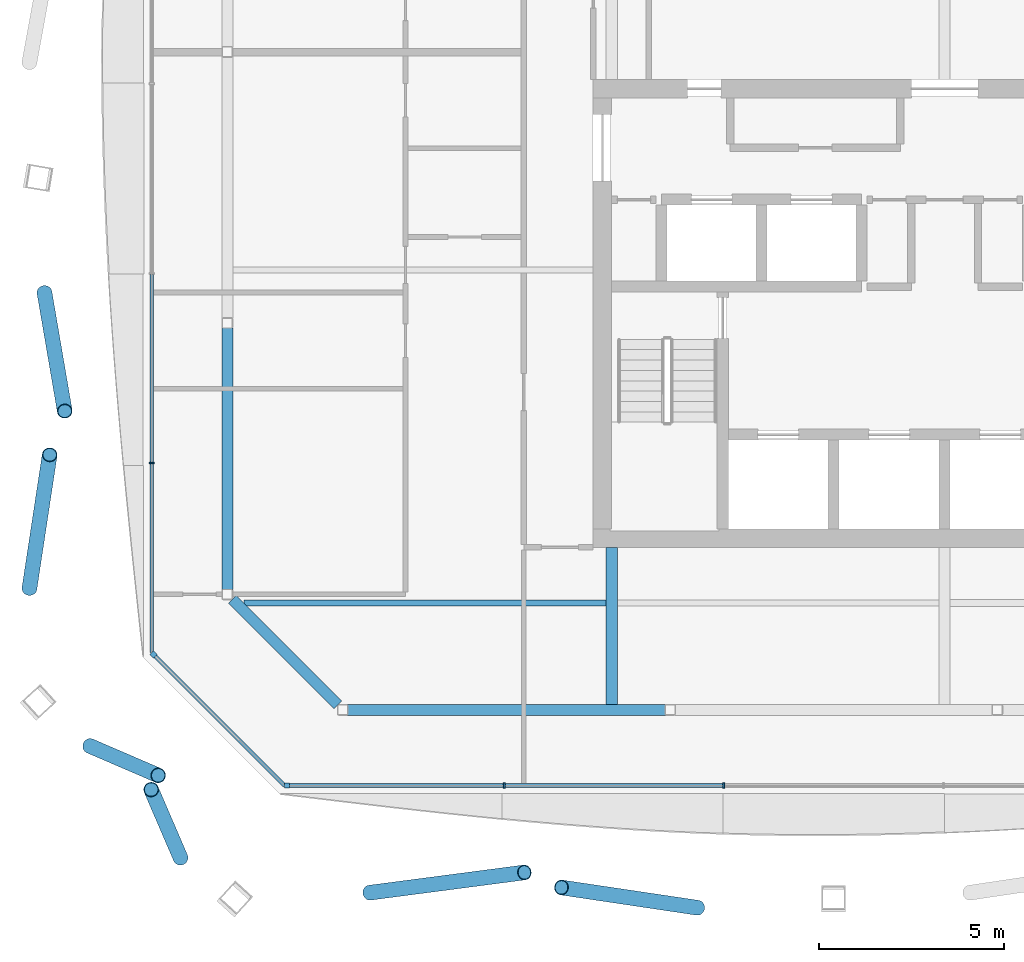
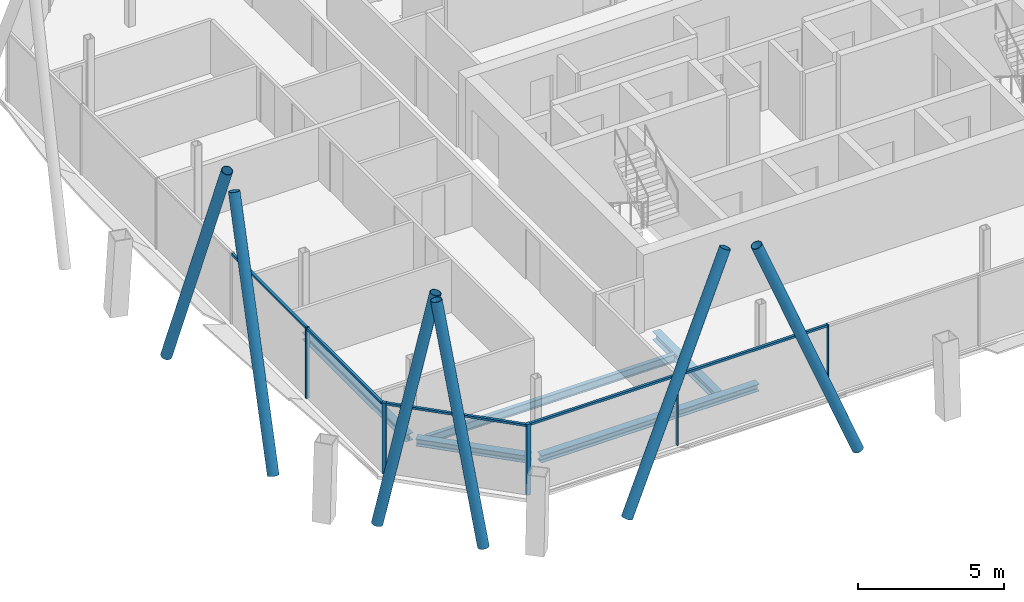
# One storey, part 4 of 17: 16 members, 5 beams, 3 elements without a shape of their own.
"""IFC4 building model written with IfcOpenShell, lengths in metres."""

from ifc_helpers import new_model, si_unit, direction, frame, origin, origin_2d, place, context, subcontext, project, spatial, rectangle, hollow_circle, i_section, extrude, material, material_profile, profile_set, type_object, element, aggregate, save


model = new_model("IFC4")

# Units and contexts
model_context = context("Model", 3, precision=1e-05, world=origin(), true_north=direction((0.0, 1.0)))
body_context = subcontext(model_context, "Body", "Model", "MODEL_VIEW")
ifc_project = project(units=[si_unit("LENGTHUNIT", "METRE"), si_unit("AREAUNIT", "SQUARE_METRE"), si_unit("VOLUMEUNIT", "CUBIC_METRE"), si_unit("PLANEANGLEUNIT", "RADIAN"), si_unit("MASSUNIT", "GRAM", prefix="KILO")], contexts=[model_context])

# Site, building, storey
site_placement = place(None, origin())
site = spatial("IfcSite", under=ifc_project, at=site_placement, CompositionType="ELEMENT")
building_placement = place(site_placement, origin())
building = spatial("IfcBuilding", under=site, at=building_placement, Name="Tskaro Facet Tower", CompositionType="ELEMENT")
storey_placement = place(building_placement, frame((0.0, 0.0, 226.64990234375)))
storey = spatial("IfcBuildingStorey", under=building, at=storey_placement, Name="L58", CompositionType="ELEMENT", Elevation=226.64990234375)

# Members
ifc_material_1 = material(Name="Steel S355J2H", Category="steel")
ifc_material_profile_1 = material_profile(ifc_material_1, hollow_circle(Radius=0.203125, WallThickness=0.02001953125, at=origin_2d()), Name="CHS 406.4x20")
ifc_profile_set_1 = profile_set([ifc_material_profile_1], Name="Steel S355J2H")
member_type_1 = type_object("IfcMemberType", Name="CHS 406.4x20 brace", PredefinedType="BRACE", material=ifc_profile_set_1)
member_1_placement = place(storey_placement, frame((-15.5400390625, -21.333740234375, 0.0), z_axis=(0.403941735239, 0.052943476075, 0.913251368941), x_axis=(-0.129955636494, 0.991519809456, 0.0)))
element("IfcMember", 1, at=member_1_placement, inside=storey, type_object=member_type_1, Name="CHS 406.4x20 XB01A/5", PredefinedType="BRACE", context=body_context, shape_type="SweptSolid", body=[
    extrude(hollow_circle(Radius=0.203125, WallThickness=0.02001953125, at=origin_2d()), origin(), (0.0, 0.0, 1.0), 10.347900390625),
])
member_2_placement = place(storey_placement, frame((-6.6796875, -21.740234375, 0.0), z_axis=(-0.362333341064, 0.053966585994, 0.930484904525), x_axis=(-0.147316766571, -0.989089364156, 0.0)))
element("IfcMember", 2, at=member_2_placement, inside=storey, type_object=member_type_1, Name="CHS 406.4x20 XB01B/5", PredefinedType="BRACE", context=body_context, shape_type="SweptSolid", body=[
    extrude(hollow_circle(Radius=0.203125, WallThickness=0.02001953125, at=origin_2d()), origin(), (0.0, 0.0, 1.0), 10.15625),
])
member_3_placement = place(storey_placement, frame((-24.333740234375, -5.114501953125, 0.0), z_axis=(0.054824809672, -0.320373319621, 0.94570353511), x_axis=(0.985671569382, 0.16867589428, 0.0)))
element("IfcMember", 3, at=member_3_placement, inside=storey, type_object=member_type_1, Name="CHS 406.4x20 XB11A/5", PredefinedType="BRACE", context=body_context, shape_type="SweptSolid", body=[
    extrude(hollow_circle(Radius=0.203125, WallThickness=0.02001953125, at=origin_2d()), origin(), (0.0, 0.0, 1.0), 9.99267578125),
])
member_4_placement = place(storey_placement, frame((-24.740234375, -13.107666015625, 0.0), z_axis=(0.054096521958, 0.356506923101, 0.932725243624), x_axis=(-0.988682487431, 0.150023128373, 0.0)))
element("IfcMember", 4, at=member_4_placement, inside=storey, type_object=member_type_1, Name="CHS 406.4x20 XB11B/5", PredefinedType="BRACE", context=body_context, shape_type="SweptSolid", body=[
    extrude(hollow_circle(Radius=0.203125, WallThickness=0.02001953125, at=origin_2d()), origin(), (0.0, 0.0, 1.0), 10.1318359375),
])
for number, where, z_axis, x_axis, name in (
    (5, (-23.099853515625, -17.36962890625, 0.0), (0.1906255973, -0.082108254756, 0.97822293786), (0.395593875479, 0.918425547164, 0.0), "CHS 406.4x20 XB12A/5"),
    (6, (-20.656982421875, -20.38720703125, 0.0), (-0.082108254756, 0.1906255973, 0.97822293786), (-0.918425547164, -0.395593875479, 0.0), "CHS 406.4x20 XB12B/5"),
):
    element("IfcMember", number, at=place(storey_placement, frame(where, z_axis=z_axis, x_axis=x_axis)), inside=storey, type_object=member_type_1, Name=name, PredefinedType="BRACE", context=body_context, shape_type="SweptSolid", body=[
        extrude(hollow_circle(Radius=0.203125, WallThickness=0.02001953125, at=origin_2d()), origin(), (0.0, 0.0, 1.0), 9.66064453125),
    ])

# Curtain wall, member
ifc_material_2 = material(Name="Bronze anodised aluminium 6063-T6", Category="aluminium")
curtain_wall_type = type_object("IfcCurtainWallType", Name="Bronze residence curtain wall (FW3)", PredefinedType="NOTDEFINED", material=ifc_material_2)
curtain_wall_1_placement = place(storey_placement, origin())
curtain_wall_1 = element("IfcCurtainWall", 7, at=curtain_wall_1_placement, inside=storey, type_object=curtain_wall_type, Name="FW3 south facet L58", PredefinedType="NOTDEFINED")
ifc_material_profile_2 = material_profile(ifc_material_2, rectangle(XDim=0.139892578125, YDim=0.139892578125, at=origin_2d()), Name="Corner post 140x140")
ifc_profile_set_2 = profile_set([ifc_material_profile_2], Name="Bronze anodised aluminium 6063-T6")
member_type_2 = type_object("IfcMemberType", Name="FW3 bronze corner post 140x140", PredefinedType="MULLION", material=ifc_profile_set_2)
member_5_placement = place(storey_placement, frame((-17.77392578125, -18.43701171875, 0.0), z_axis=(0.0, 0.0, 1.0), x_axis=(1.0, 0.0, 0.0)))
member_5 = element("IfcMember", 8, at=member_5_placement, type_object=member_type_2, Name="FW3 south corner post", PredefinedType="MULLION", context=body_context, shape_type="SweptSolid", body=[
    extrude(rectangle(XDim=0.139892578125, YDim=0.139892578125, at=origin_2d()), origin(), (0.0, 0.0, 1.0), 2.9501953125),
])

curtain_wall_2_placement = place(storey_placement, origin())
curtain_wall_2 = element("IfcCurtainWall", 9, at=curtain_wall_2_placement, inside=storey, type_object=curtain_wall_type, Name="FW3 south-west facet L58", PredefinedType="NOTDEFINED")
member_6_placement = place(storey_placement, frame((-21.387451171875, -14.8935546875, 0.0), z_axis=(0.0, 0.0, 1.0), x_axis=(0.707106781187, -0.707106781187, 0.0)))
member_6 = element("IfcMember", 10, at=member_6_placement, type_object=member_type_2, Name="FW3 south-west corner post", PredefinedType="MULLION", context=body_context, shape_type="SweptSolid", body=[
    extrude(rectangle(XDim=0.139892578125, YDim=0.139892578125, at=origin_2d()), origin(), (0.0, 0.0, 1.0), 2.9501953125),
])

# Member
ifc_material_profile_3 = material_profile(ifc_material_2, rectangle(XDim=0.050048828125, YDim=0.139892578125, at=origin_2d()), Name="Mullion 50x140")
ifc_profile_set_3 = profile_set([ifc_material_profile_3], Name="Bronze anodised aluminium 6063-T6")
member_type_3 = type_object("IfcMemberType", Name="FW3 bronze mullion 50x140", PredefinedType="MULLION", material=ifc_profile_set_3)
member_7_placement = place(storey_placement, frame((-11.906494140625, -18.43701171875, 0.0), z_axis=(0.0, 0.0, 1.0), x_axis=(1.0, 0.0, 0.0)))
member_7 = element("IfcMember", 11, at=member_7_placement, type_object=member_type_3, Name="FW3 south mullion 1", PredefinedType="MULLION", context=body_context, shape_type="SweptSolid", body=[
    extrude(rectangle(XDim=0.050048828125, YDim=0.139892578125, at=origin_2d()), origin(), (0.0, 0.0, 1.0), 2.9501953125),
])

member_8_placement = place(storey_placement, frame((-5.96875, -18.43701171875, 0.0), z_axis=(0.0, 0.0, 1.0), x_axis=(1.0, 0.0, 0.0)))
member_8 = element("IfcMember", 12, at=member_8_placement, type_object=member_type_3, Name="FW3 south mullion 2", PredefinedType="MULLION", context=body_context, shape_type="SweptSolid", body=[
    extrude(rectangle(XDim=0.050048828125, YDim=0.139892578125, at=origin_2d()), origin(), (0.0, 0.0, 1.0), 2.9501953125),
])

# Curtain wall, member
curtain_wall_3_placement = place(storey_placement, origin())
curtain_wall_3 = element("IfcCurtainWall", 13, at=curtain_wall_3_placement, inside=storey, type_object=curtain_wall_type, Name="FW3 west facet L58", PredefinedType="NOTDEFINED")
member_9_placement = place(storey_placement, frame((-21.43701171875, -9.719482421875, 0.0), z_axis=(0.0, 0.0, 1.0), x_axis=(0.0, -1.0, 0.0)))
member_9 = element("IfcMember", 14, at=member_9_placement, type_object=member_type_3, Name="FW3 west mullion 4", PredefinedType="MULLION", context=body_context, shape_type="SweptSolid", body=[
    extrude(rectangle(XDim=0.050048828125, YDim=0.139892578125, at=origin_2d()), origin(), (0.0, 0.0, 1.0), 2.9501953125),
])

# Member
ifc_material_profile_4 = material_profile(ifc_material_2, rectangle(XDim=0.10009765625, YDim=0.090087890625, at=origin_2d()), Name="Transom 100x90")
ifc_profile_set_4 = profile_set([ifc_material_profile_4], Name="Bronze anodised aluminium 6063-T6")
member_type_4 = type_object("IfcMemberType", Name="FW3 bronze transom 100x90", PredefinedType="USERDEFINED", material=ifc_profile_set_4)
member_10_placement = place(storey_placement, frame((-17.7041015625, -18.43701171875, 2.905029296875), z_axis=(1.0, 0.0, 0.0), x_axis=(0.0, 1.0, 0.0)))
member_10 = element("IfcMember", 15, at=member_10_placement, type_object=member_type_4, Name="FW3 south transom 1.1", ObjectType="TRANSOM", PredefinedType="USERDEFINED", context=body_context, shape_type="SweptSolid", body=[
    extrude(rectangle(XDim=0.10009765625, YDim=0.090087890625, at=origin_2d()), origin(), (0.0, 0.0, 1.0), 5.772705078125),
])

member_11_placement = place(storey_placement, frame((-11.88134765625, -18.43701171875, 2.905029296875), z_axis=(1.0, 0.0, 0.0), x_axis=(0.0, 1.0, 0.0)))
member_11 = element("IfcMember", 16, at=member_11_placement, type_object=member_type_4, Name="FW3 south transom 2.1", ObjectType="TRANSOM", PredefinedType="USERDEFINED", context=body_context, shape_type="SweptSolid", body=[
    extrude(rectangle(XDim=0.10009765625, YDim=0.090087890625, at=origin_2d()), origin(), (0.0, 0.0, 1.0), 5.887451171875),
])

aggregate(curtain_wall_1, [member_5, member_7, member_8, member_10, member_11])

member_12_placement = place(storey_placement, frame((-21.43701171875, -4.619873046875, 2.905029296875), z_axis=(0.0, -1.0, 0.0), x_axis=(1.0, 0.0, 0.0)))
member_12 = element("IfcMember", 17, at=member_12_placement, type_object=member_type_4, Name="FW3 west transom 4.1", ObjectType="TRANSOM", PredefinedType="USERDEFINED", context=body_context, shape_type="SweptSolid", body=[
    extrude(rectangle(XDim=0.10009765625, YDim=0.090087890625, at=origin_2d()), origin(), (0.0, 0.0, 1.0), 5.074462890625),
])

member_13_placement = place(storey_placement, frame((-21.43701171875, -9.744384765625, 2.905029296875), z_axis=(0.0, -1.0, 0.0), x_axis=(1.0, 0.0, 0.0)))
member_13 = element("IfcMember", 18, at=member_13_placement, type_object=member_type_4, Name="FW3 west transom 5.1", ObjectType="TRANSOM", PredefinedType="USERDEFINED", context=body_context, shape_type="SweptSolid", body=[
    extrude(rectangle(XDim=0.10009765625, YDim=0.090087890625, at=origin_2d()), origin(), (0.0, 0.0, 1.0), 5.099609375),
])

aggregate(curtain_wall_3, [member_9, member_12, member_13])

member_14_placement = place(storey_placement, frame((-21.337890625, -14.943115234375, 2.905029296875), z_axis=(0.707106781187, -0.707106781187, 0.0), x_axis=(0.707106781187, 0.707106781187, 0.0)))
member_14 = element("IfcMember", 19, at=member_14_placement, type_object=member_type_4, Name="FW3 south-west transom 1.1", ObjectType="TRANSOM", PredefinedType="USERDEFINED", context=body_context, shape_type="SweptSolid", body=[
    extrude(rectangle(XDim=0.10009765625, YDim=0.090087890625, at=origin_2d()), origin(), (0.0, 0.0, 1.0), 4.941162109375),
])

aggregate(curtain_wall_2, [member_6, member_14])

# Beams
ifc_material_3 = material(Name="Steel S355J2", Category="steel")
ifc_material_profile_5 = material_profile(ifc_material_3, i_section(OverallWidth=0.300048828125, OverallDepth=0.300048828125, WebThickness=0.010986328125, FlangeThickness=0.01904296875, FilletRadius=0.027099609375, at=origin_2d()), Name="HE 300 B")
ifc_profile_set_5 = profile_set([ifc_material_profile_5], Name="Steel S355J2")
beam_type_1 = type_object("IfcBeamType", Name="HE 300 B ring beam", PredefinedType="BEAM", material=ifc_profile_set_5)
beam_1_placement = place(storey_placement, frame((-16.137939453125, -16.39111328125, -0.289794921875), z_axis=(1.0, 0.0, 0.0), x_axis=(0.0, 1.0, 0.0)))
element("IfcBeam", 20, at=beam_1_placement, inside=storey, type_object=beam_type_1, Name="HE 300 B EB1-5", PredefinedType="BEAM", context=body_context, shape_type="SweptSolid", body=[
    extrude(i_section(OverallWidth=0.300048828125, OverallDepth=0.300048828125, WebThickness=0.010986328125, FlangeThickness=0.01904296875, FilletRadius=0.027099609375, at=origin_2d()), origin(), (0.0, 0.0, 1.0), 8.5849609375),
])
beam_2_placement = place(storey_placement, frame((-19.39111328125, -6.06689453125, -0.289794921875), z_axis=(0.0, -1.0, 0.0), x_axis=(1.0, 0.0, 0.0)))
element("IfcBeam", 21, at=beam_2_placement, inside=storey, type_object=beam_type_1, Name="HE 300 B EB16-5", PredefinedType="BEAM", context=body_context, shape_type="SweptSolid", body=[
    extrude(i_section(OverallWidth=0.300048828125, OverallDepth=0.300048828125, WebThickness=0.010986328125, FlangeThickness=0.01904296875, FilletRadius=0.027099609375, at=origin_2d()), origin(), (0.0, 0.0, 1.0), 7.071044921875),
])
beam_3_placement = place(storey_placement, frame((-19.255126953125, -13.40380859375, -0.289794921875), z_axis=(0.707106781187, -0.707106781187, 0.0), x_axis=(0.707106781187, 0.707106781187, 0.0)))
element("IfcBeam", 22, at=beam_3_placement, inside=storey, type_object=beam_type_1, Name="HE 300 B EB17-5", PredefinedType="BEAM", context=body_context, shape_type="SweptSolid", body=[
    extrude(i_section(OverallWidth=0.300048828125, OverallDepth=0.300048828125, WebThickness=0.010986328125, FlangeThickness=0.01904296875, FilletRadius=0.027099609375, at=origin_2d()), origin(), (0.0, 0.0, 1.0), 4.032470703125),
])
ifc_material_profile_6 = material_profile(ifc_material_3, i_section(OverallWidth=0.300048828125, OverallDepth=0.35009765625, WebThickness=0.010009765625, FlangeThickness=0.017578125, FilletRadius=0.027099609375, at=origin_2d()), Name="HE 360 A")
ifc_profile_set_6 = profile_set([ifc_material_profile_6], Name="Steel S355J2")
beam_type_2 = type_object("IfcBeamType", Name="HE 360 A girder", PredefinedType="BEAM", material=ifc_profile_set_6)
beam_4_placement = place(storey_placement, frame((-9.0, -16.240966796875, -0.31494140625), z_axis=(0.0, 1.0, 0.0), x_axis=(-1.0, 0.0, 0.0)))
element("IfcBeam", 23, at=beam_4_placement, inside=storey, type_object=beam_type_2, Name="HE 360 A GB3-1-5", PredefinedType="BEAM", context=body_context, shape_type="SweptSolid", body=[
    extrude(i_section(OverallWidth=0.300048828125, OverallDepth=0.35009765625, WebThickness=0.010009765625, FlangeThickness=0.017578125, FilletRadius=0.027099609375, at=origin_2d()), origin(), (0.0, 0.0, 1.0), 4.240966796875),
])
ifc_material_profile_7 = material_profile(ifc_material_3, i_section(OverallWidth=0.159912109375, OverallDepth=0.330078125, WebThickness=0.007568359375, FlangeThickness=0.011474609375, FilletRadius=0.01806640625, at=origin_2d()), Name="IPE 330")
ifc_profile_set_7 = profile_set([ifc_material_profile_7], Name="Steel S355J2")
beam_type_3 = type_object("IfcBeamType", Name="IPE 330 secondary beam", PredefinedType="BEAM", material=ifc_profile_set_7)
beam_5_placement = place(storey_placement, frame((-18.947021484375, -13.5, -0.304931640625), z_axis=(1.0, 0.0, 0.0), x_axis=(0.0, 1.0, 0.0)))
element("IfcBeam", 24, at=beam_5_placement, inside=storey, type_object=beam_type_3, Name="IPE 330 SB2a-1-5", PredefinedType="BEAM", context=body_context, shape_type="SweptSolid", body=[
    extrude(i_section(OverallWidth=0.159912109375, OverallDepth=0.330078125, WebThickness=0.007568359375, FlangeThickness=0.011474609375, FilletRadius=0.01806640625, at=origin_2d()), origin(), (0.0, 0.0, 1.0), 9.797119140625),
])

save(model, "model.ifc")
